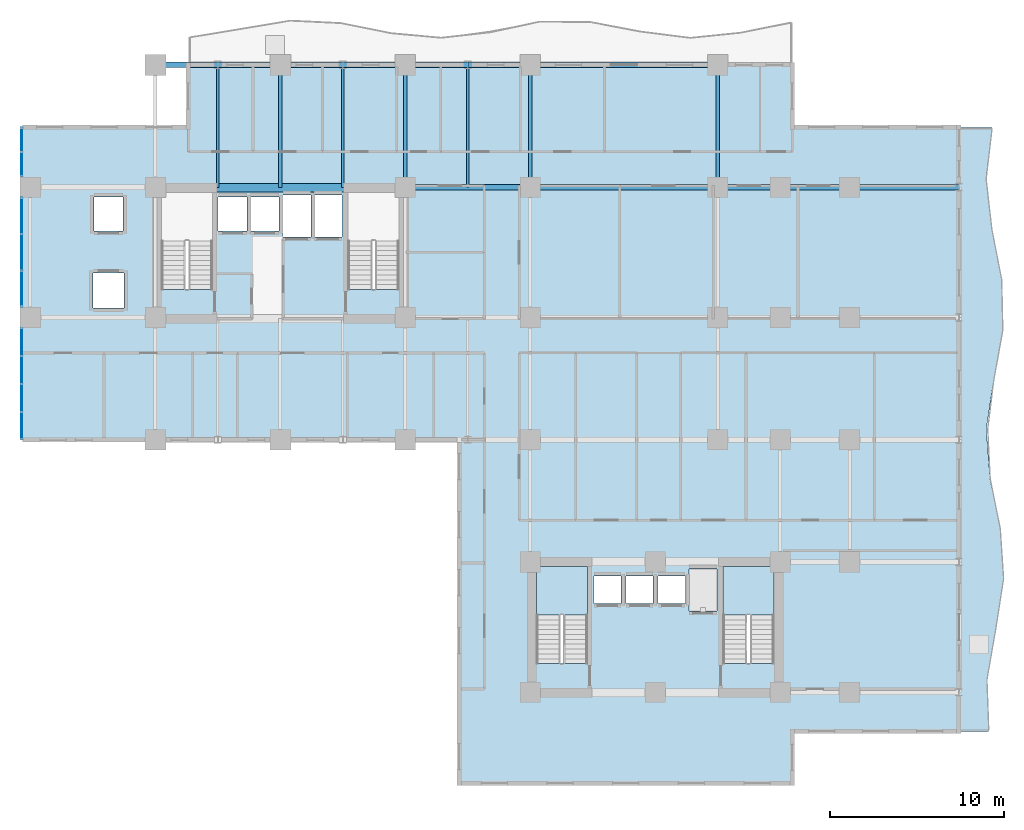
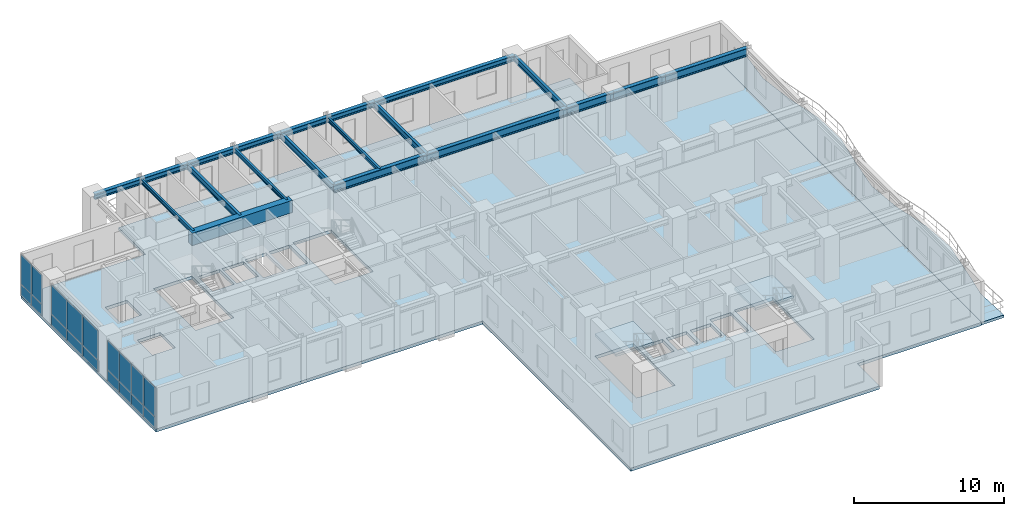
# One storey, part 7 of 18: 20 beams, 18 plates, 4 slabs, 5 elements without a shape of their own.
"""IFC4 building model written with IfcOpenShell, lengths in metres."""

from ifc_helpers import new_model, si_unit, direction, frame, origin, origin_2d, place, context, subcontext, project, spatial, polyline, rectangle, i_section, outline, extrude, source, transform, mapped, material, layer, layer_set, material_profile, profile_set, type_object, element, aggregate, save


model = new_model("IFC4")

# Units and contexts
model_context = context("Model", 3, precision=1e-05, world=origin(), true_north=direction((0.0, 1.0)))
body_context = subcontext(model_context, "Body", "Model", "MODEL_VIEW")
ifc_project = project(units=[si_unit("LENGTHUNIT", "METRE"), si_unit("AREAUNIT", "SQUARE_METRE"), si_unit("VOLUMEUNIT", "CUBIC_METRE"), si_unit("PLANEANGLEUNIT", "RADIAN"), si_unit("MASSUNIT", "GRAM", prefix="KILO")], contexts=[model_context])

# Site, building, storey
site_placement = place(None, origin())
site = spatial("IfcSite", under=ifc_project, at=site_placement, CompositionType="ELEMENT")
building_placement = place(site_placement, origin())
building = spatial("IfcBuilding", under=site, at=building_placement, Name="Kaliganga Portal Commons", CompositionType="ELEMENT")
storey_placement = place(building_placement, frame((0.0, 0.0, 123.0)))
storey = spatial("IfcBuildingStorey", under=building, at=storey_placement, Name="L31", CompositionType="ELEMENT", Elevation=123.0)

# Beams
ifc_material_1 = material(Name="Concrete C50/60", Category="concrete")
ifc_material_profile_1 = material_profile(ifc_material_1, rectangle(XDim=0.5, YDim=1.0, at=origin_2d()), Name="RC 500x1000")
ifc_profile_set_1 = profile_set([ifc_material_profile_1], Name="Concrete C50/60")
beam_type_1 = type_object("IfcBeamType", Name="BM-CPL-1000", PredefinedType="LINTEL", material=ifc_profile_set_1)
shared_shape_1 = source(origin(), body_context, "Body", "SweptSolid", [
    extrude(rectangle(XDim=0.5, YDim=1.0, at=origin_2d()), origin(), (0.0, 0.0, 1.0), 7.739990234375),
])
beam_1_placement = place(storey_placement, frame((17.72998046875, 36.125, 2.949951171875), z_axis=(1.0, 0.0, 0.0), x_axis=(0.0, 1.0, 0.0)))
element("IfcBeam", 1, at=beam_1_placement, inside=storey, type_object=beam_type_1, Name="BM CPL COREA L31 N", PredefinedType="LINTEL", context=body_context, shape_type="MappedRepresentation", body=[
    mapped(shared_shape_1, transform((0.0, 0.0, 0.0), x_axis=(1.0, 0.0, 0.0), y_axis=(0.0, 1.0, 0.0), z_axis=(0.0, 0.0, 1.0), scale=1.0)),
])
ifc_material_2 = material(Name="Structural steel S355J2", Category="steel")
ifc_material_profile_2 = material_profile(ifc_material_2, i_section(OverallWidth=0.300048828125, OverallDepth=0.64990234375, WebThickness=0.01611328125, FlangeThickness=0.031005859375, FilletRadius=0.027099609375, at=origin_2d()), Name="HE 650 B")
ifc_profile_set_2 = profile_set([ifc_material_profile_2], Name="Structural steel S355J2 wide-flange")
beam_type_2 = type_object("IfcBeamType", Name="BM-GIRD-650", PredefinedType="USERDEFINED", material=ifc_profile_set_2)
shared_shape_2 = source(origin(), body_context, "Body", "SweptSolid", [
    extrude(i_section(OverallWidth=0.300048828125, OverallDepth=0.64990234375, WebThickness=0.01611328125, FlangeThickness=0.031005859375, FilletRadius=0.027099609375, at=origin_2d()), origin(), (0.0, 0.0, 1.0), 3.599853515625),
])
beam_2_placement = place(storey_placement, frame((46.800048828125, 36.14990234375, 3.125), z_axis=(1.0, 0.0, 0.0), x_axis=(0.0, 1.0, 0.0)))
element("IfcBeam", 2, at=beam_2_placement, inside=storey, type_object=beam_type_2, Name="BM G L31 BKE362 1", ObjectType="GIRDER", PredefinedType="USERDEFINED", context=body_context, shape_type="MappedRepresentation", body=[
    mapped(shared_shape_2, transform((0.0, 0.0, 0.0), x_axis=(1.0, 0.0, 0.0), y_axis=(0.0, 1.0, 0.0), z_axis=(0.0, 0.0, 1.0), scale=1.0)),
])
shared_shape_3 = source(origin(), body_context, "Body", "SweptSolid", [
    extrude(i_section(OverallWidth=0.300048828125, OverallDepth=0.64990234375, WebThickness=0.01611328125, FlangeThickness=0.031005859375, FilletRadius=0.027099609375, at=origin_2d()), origin(), (0.0, 0.0, 1.0), 7.199951171875),
])
beam_3_placement = place(storey_placement, frame((28.800048828125, 36.14990234375, 3.125), z_axis=(1.0, 0.0, 0.0), x_axis=(0.0, 1.0, 0.0)))
element("IfcBeam", 3, at=beam_3_placement, inside=storey, type_object=beam_type_2, Name="BM G L31 WAE_N 1", ObjectType="GIRDER", PredefinedType="USERDEFINED", context=body_context, shape_type="MappedRepresentation", body=[
    mapped(shared_shape_3, transform((0.0, 0.0, 0.0), x_axis=(1.0, 0.0, 0.0), y_axis=(0.0, 1.0, 0.0), z_axis=(0.0, 0.0, 1.0), scale=1.0)),
])
shared_shape_4 = source(origin(), body_context, "Body", "SweptSolid", [
    extrude(i_section(OverallWidth=0.300048828125, OverallDepth=0.64990234375, WebThickness=0.01611328125, FlangeThickness=0.031005859375, FilletRadius=0.027099609375, at=origin_2d()), origin(), (0.0, 0.0, 1.0), 10.800048828125),
])
beam_4_placement = place(storey_placement, frame((36.0, 36.14990234375, 3.125), z_axis=(1.0, 0.0, 0.0), x_axis=(0.0, 1.0, 0.0)))
element("IfcBeam", 4, at=beam_4_placement, inside=storey, type_object=beam_type_2, Name="BM G L31 WAE_N 2", ObjectType="GIRDER", PredefinedType="USERDEFINED", context=body_context, shape_type="MappedRepresentation", body=[
    mapped(shared_shape_4, transform((0.0, 0.0, 0.0), x_axis=(1.0, 0.0, 0.0), y_axis=(0.0, 1.0, 0.0), z_axis=(0.0, 0.0, 1.0), scale=1.0)),
])
shared_shape_5 = source(origin(), body_context, "Body", "SweptSolid", [
    extrude(i_section(OverallWidth=0.300048828125, OverallDepth=0.64990234375, WebThickness=0.01611328125, FlangeThickness=0.031005859375, FilletRadius=0.027099609375, at=origin_2d()), origin(), (0.0, 0.0, 1.0), 4.0),
])
beam_5_placement = place(storey_placement, frame((50.39990234375, 36.14990234375, 3.125), z_axis=(1.0, 0.0, 0.0), x_axis=(0.0, 1.0, 0.0)))
element("IfcBeam", 5, at=beam_5_placement, inside=storey, type_object=beam_type_2, Name="BM G L31 BKE362 2", ObjectType="GIRDER", PredefinedType="USERDEFINED", context=body_context, shape_type="MappedRepresentation", body=[
    mapped(shared_shape_5, transform((0.0, 0.0, 0.0), x_axis=(1.0, 0.0, 0.0), y_axis=(0.0, 1.0, 0.0), z_axis=(0.0, 0.0, 1.0), scale=1.0)),
])
ifc_material_profile_3 = material_profile(ifc_material_2, i_section(OverallWidth=0.199951171875, OverallDepth=0.5, WebThickness=0.01025390625, FlangeThickness=0.01611328125, FilletRadius=0.02099609375, at=origin_2d()), Name="IPE 500")
ifc_profile_set_3 = profile_set([ifc_material_profile_3], Name="Structural steel S355J2 wide-flange")
beam_type_3 = type_object("IfcBeamType", Name="BM-FLR-500", PredefinedType="BEAM", material=ifc_profile_set_3)
shared_shape_6 = source(origin(), body_context, "Body", "SweptSolid", [
    extrude(i_section(OverallWidth=0.199951171875, OverallDepth=0.5, WebThickness=0.01025390625, FlangeThickness=0.01611328125, FilletRadius=0.02099609375, at=origin_2d()), origin(), (0.0, 0.0, 1.0), 7.050048828125),
])
for number, where, z_axis, x_axis, name in (
    (6, (28.800048828125, 36.14990234375, 3.199951171875), (0.0, 1.0, 0.0), (-1.0, 0.0, 0.0), "BM G L31 AN288"),
    (7, (36.0, 36.14990234375, 3.199951171875), (0.0, 1.0, 0.0), (-1.0, 0.0, 0.0), "BM G L31 AN360"),
    (8, (46.800048828125, 36.14990234375, 3.199951171875), (0.0, 1.0, 0.0), (-1.0, 0.0, 0.0), "BM G L31 AN468"),
):
    element("IfcBeam", number, at=place(storey_placement, frame(where, z_axis=z_axis, x_axis=x_axis)), inside=storey, type_object=beam_type_3, Name=name, PredefinedType="BEAM", context=body_context, shape_type="MappedRepresentation", body=[
        mapped(shared_shape_6, transform((0.0, 0.0, 0.0), x_axis=(1.0, 0.0, 0.0), y_axis=(0.0, 1.0, 0.0), z_axis=(0.0, 0.0, 1.0), scale=1.0)),
    ])
shared_shape_7 = source(origin(), body_context, "Body", "SweptSolid", [
    extrude(i_section(OverallWidth=0.199951171875, OverallDepth=0.5, WebThickness=0.01025390625, FlangeThickness=0.01611328125, FilletRadius=0.02099609375, at=origin_2d()), origin(), (0.0, 0.0, 1.0), 7.074951171875),
])
beam_6_placement = place(storey_placement, frame((21.60009765625, 36.125, 3.199951171875), z_axis=(0.0, 1.0, 0.0), x_axis=(-1.0, 0.0, 0.0)))
element("IfcBeam", 9, at=beam_6_placement, inside=storey, type_object=beam_type_3, Name="BM G L31 AN216", PredefinedType="BEAM", context=body_context, shape_type="MappedRepresentation", body=[
    mapped(shared_shape_7, transform((0.0, 0.0, 0.0), x_axis=(1.0, 0.0, 0.0), y_axis=(0.0, 1.0, 0.0), z_axis=(0.0, 0.0, 1.0), scale=1.0)),
])
shared_shape_8 = source(origin(), body_context, "Body", "SweptSolid", [
    extrude(i_section(OverallWidth=0.300048828125, OverallDepth=0.64990234375, WebThickness=0.01611328125, FlangeThickness=0.031005859375, FilletRadius=0.027099609375, at=origin_2d()), origin(), (0.0, 0.0, 1.0), 6.300048828125),
])
beam_7_placement = place(storey_placement, frame((54.39990234375, 36.14990234375, 3.125), z_axis=(1.0, 0.0, 0.0), x_axis=(0.0, 1.0, 0.0)))
element("IfcBeam", 10, at=beam_7_placement, inside=storey, type_object=beam_type_2, Name="BM G L31 BKE362 3", ObjectType="GIRDER", PredefinedType="USERDEFINED", context=body_context, shape_type="MappedRepresentation", body=[
    mapped(shared_shape_8, transform((0.0, 0.0, 0.0), x_axis=(1.0, 0.0, 0.0), y_axis=(0.0, 1.0, 0.0), z_axis=(0.0, 0.0, 1.0), scale=1.0)),
])
ifc_material_profile_4 = material_profile(ifc_material_2, i_section(OverallWidth=0.300048828125, OverallDepth=0.449951171875, WebThickness=0.013916015625, FlangeThickness=0.02587890625, FilletRadius=0.027099609375, at=origin_2d()), Name="HE 450 B")
ifc_profile_set_4 = profile_set([ifc_material_profile_4], Name="Structural steel S355J2 wide-flange")
beam_type_4 = type_object("IfcBeamType", Name="BM-SPAND-450", PredefinedType="SPANDREL", material=ifc_profile_set_4)
shared_shape_9 = source(origin(), body_context, "Body", "SweptSolid", [
    extrude(i_section(OverallWidth=0.300048828125, OverallDepth=0.449951171875, WebThickness=0.013916015625, FlangeThickness=0.02587890625, FilletRadius=0.027099609375, at=origin_2d()), origin(), (0.0, 0.0, 1.0), 3.60009765625),
])
for number, where, z_axis, x_axis, name in (
    (11, (14.39990234375, 43.199951171875, 3.22509765625), (1.0, 0.0, 0.0), (0.0, 1.0, 0.0), "BM SP L31 AN 1"),
    (12, (18.0, 43.199951171875, 3.22509765625), (1.0, 0.0, 0.0), (0.0, 1.0, 0.0), "BM SP L31 AN 2"),
    (13, (25.199951171875, 43.199951171875, 3.22509765625), (1.0, 0.0, 0.0), (0.0, 1.0, 0.0), "BM SP L31 AN 4"),
    (14, (32.39990234375, 43.199951171875, 3.22509765625), (1.0, 0.0, 0.0), (0.0, 1.0, 0.0), "BM SP L31 AN 6"),
):
    element("IfcBeam", number, at=place(storey_placement, frame(where, z_axis=z_axis, x_axis=x_axis)), inside=storey, type_object=beam_type_4, Name=name, PredefinedType="SPANDREL", context=body_context, shape_type="MappedRepresentation", body=[
        mapped(shared_shape_9, transform((0.0, 0.0, 0.0), x_axis=(1.0, 0.0, 0.0), y_axis=(0.0, 1.0, 0.0), z_axis=(0.0, 0.0, 1.0), scale=1.0)),
    ])
shared_shape_10 = source(origin(), body_context, "Body", "SweptSolid", [
    extrude(i_section(OverallWidth=0.300048828125, OverallDepth=0.449951171875, WebThickness=0.013916015625, FlangeThickness=0.02587890625, FilletRadius=0.027099609375, at=origin_2d()), origin(), (0.0, 0.0, 1.0), 3.599853515625),
])
for number, where, z_axis, x_axis, name in (
    (15, (21.60009765625, 43.199951171875, 3.22509765625), (1.0, 0.0, 0.0), (0.0, 1.0, 0.0), "BM SP L31 AN 3"),
    (16, (28.800048828125, 43.199951171875, 3.22509765625), (1.0, 0.0, 0.0), (0.0, 1.0, 0.0), "BM SP L31 AN 5"),
):
    element("IfcBeam", number, at=place(storey_placement, frame(where, z_axis=z_axis, x_axis=x_axis)), inside=storey, type_object=beam_type_4, Name=name, PredefinedType="SPANDREL", context=body_context, shape_type="MappedRepresentation", body=[
        mapped(shared_shape_10, transform((0.0, 0.0, 0.0), x_axis=(1.0, 0.0, 0.0), y_axis=(0.0, 1.0, 0.0), z_axis=(0.0, 0.0, 1.0), scale=1.0)),
    ])
shared_shape_11 = source(origin(), body_context, "Body", "SweptSolid", [
    extrude(i_section(OverallWidth=0.300048828125, OverallDepth=0.449951171875, WebThickness=0.013916015625, FlangeThickness=0.02587890625, FilletRadius=0.027099609375, at=origin_2d()), origin(), (0.0, 0.0, 1.0), 10.800048828125),
])
beam_8_placement = place(storey_placement, frame((36.0, 43.199951171875, 3.22509765625), z_axis=(1.0, 0.0, 0.0), x_axis=(0.0, 1.0, 0.0)))
element("IfcBeam", 17, at=beam_8_placement, inside=storey, type_object=beam_type_4, Name="BM SP L31 AN 7", PredefinedType="SPANDREL", context=body_context, shape_type="MappedRepresentation", body=[
    mapped(shared_shape_11, transform((0.0, 0.0, 0.0), x_axis=(1.0, 0.0, 0.0), y_axis=(0.0, 1.0, 0.0), z_axis=(0.0, 0.0, 1.0), scale=1.0)),
])
ifc_material_profile_5 = material_profile(ifc_material_2, i_section(OverallWidth=0.159912109375, OverallDepth=0.330078125, WebThickness=0.007568359375, FlangeThickness=0.011474609375, FilletRadius=0.01806640625, at=origin_2d()), Name="IPE 330")
ifc_profile_set_5 = profile_set([ifc_material_profile_5], Name="Structural steel S355J2 wide-flange")
beam_type_5 = type_object("IfcBeamType", Name="BM-JST-330", PredefinedType="JOIST", material=ifc_profile_set_5)
shared_shape_12 = source(origin(), body_context, "Body", "SweptSolid", [
    extrude(i_section(OverallWidth=0.159912109375, OverallDepth=0.330078125, WebThickness=0.007568359375, FlangeThickness=0.011474609375, FilletRadius=0.01806640625, at=origin_2d()), origin(), (0.0, 0.0, 1.0), 7.074951171875),
])
for number, where, z_axis, x_axis, name in (
    (18, (18.0, 36.125, 3.284912109375), (0.0, 1.0, 0.0), (-1.0, 0.0, 0.0), "BM G L31 AN180"),
    (19, (25.199951171875, 36.125, 3.284912109375), (0.0, 1.0, 0.0), (-1.0, 0.0, 0.0), "BM G L31 AN252"),
):
    element("IfcBeam", number, at=place(storey_placement, frame(where, z_axis=z_axis, x_axis=x_axis)), inside=storey, type_object=beam_type_5, Name=name, PredefinedType="JOIST", context=body_context, shape_type="MappedRepresentation", body=[
        mapped(shared_shape_12, transform((0.0, 0.0, 0.0), x_axis=(1.0, 0.0, 0.0), y_axis=(0.0, 1.0, 0.0), z_axis=(0.0, 0.0, 1.0), scale=1.0)),
    ])
shared_shape_13 = source(origin(), body_context, "Body", "SweptSolid", [
    extrude(i_section(OverallWidth=0.159912109375, OverallDepth=0.330078125, WebThickness=0.007568359375, FlangeThickness=0.011474609375, FilletRadius=0.01806640625, at=origin_2d()), origin(), (0.0, 0.0, 1.0), 7.050048828125),
])
beam_9_placement = place(storey_placement, frame((32.39990234375, 36.14990234375, 3.284912109375), z_axis=(0.0, 1.0, 0.0), x_axis=(-1.0, 0.0, 0.0)))
element("IfcBeam", 20, at=beam_9_placement, inside=storey, type_object=beam_type_5, Name="BM G L31 AN324", PredefinedType="JOIST", context=body_context, shape_type="MappedRepresentation", body=[
    mapped(shared_shape_13, transform((0.0, 0.0, 0.0), x_axis=(1.0, 0.0, 0.0), y_axis=(0.0, 1.0, 0.0), z_axis=(0.0, 0.0, 1.0), scale=1.0)),
])

# Slab
ifc_material_3 = material(Name="Concrete C40/50", Category="concrete")
ifc_layer_1 = layer(ifc_material_3, 0.2099609375)
ifc_layer_set_1 = layer_set([ifc_layer_1], Name="Concrete C40/50")
slab_type_1 = type_object("IfcSlabType", Name="SLB-BALC-210", PredefinedType="FLOOR", material=ifc_layer_set_1)
slab_1_placement = place(storey_placement, frame((0.0, 0.0, -0.2099609375)))
element("IfcSlab", 21, at=slab_1_placement, inside=storey, type_object=slab_type_1, Name="Scalloped Tree-Planter Balcony Slab L31 balc_east", PredefinedType="FLOOR", context=body_context, shape_type="SweptSolid", body=[
    extrude(outline(polyline([(60.699951171875, 4.800048828125), (62.416259765625, 4.800048828125), (62.311767578125, 7.699951171875), (62.8203125, 10.60009765625), (63.279296875, 13.5), (63.091064453125, 16.39990234375), (62.50048828125, 19.300048828125), (62.277099609375, 22.199951171875), (62.712158203125, 25.10009765625), (63.238525390625, 28.0), (63.170654296875, 30.89990234375), (62.5966796875, 33.800048828125), (62.2646484375, 36.699951171875), (62.60693359375, 39.60009765625), (60.699951171875, 39.60009765625), (60.699951171875, 4.800048828125)])), origin(), (0.0, 0.0, 1.0), 0.2099609375),
])

# Stair, slab
stair_type = type_object("IfcStairType", Name="ST-CORE-DOGLEG", PredefinedType="HALF_TURN_STAIR", material=ifc_material_3)
stair_1_placement = place(storey_placement, origin())
stair_1 = element("IfcStair", 22, at=stair_1_placement, inside=storey, type_object=stair_type, Name="L31 Protected Exit Stair ST-B1", PredefinedType="HALF_TURN_STAIR")
ifc_layer_2 = layer(ifc_material_3, 0.199951171875)
ifc_layer_set_2 = layer_set([ifc_layer_2], Name="Concrete C40/50")
slab_type_2 = type_object("IfcSlabType", Name="SLB-STAIR-LND", PredefinedType="LANDING", material=ifc_layer_set_2)
slab_2_placement = place(storey_placement, frame((0.0, 0.0, 1.64990234375)))
slab_2 = element("IfcSlab", 23, at=slab_2_placement, type_object=slab_type_2, Name="ST-B1 landing 1", PredefinedType="LANDING", context=body_context, shape_type="SweptSolid", body=[
    extrude(outline(polyline([(39.300048828125, 11.5), (39.300048828125, 14.300048828125), (36.35009765625, 14.300048828125), (36.35009765625, 11.5), (39.300048828125, 11.5)])), origin(), (0.0, 0.0, 1.0), 0.2001953125),
])
aggregate(stair_1, [slab_2])

stair_2_placement = place(storey_placement, origin())
stair_2 = element("IfcStair", 24, at=stair_2_placement, inside=storey, type_object=stair_type, Name="L31 Protected Exit Stair ST-B2", PredefinedType="HALF_TURN_STAIR")
slab_3_placement = place(storey_placement, frame((0.0, 0.0, 1.64990234375)))
slab_3 = element("IfcSlab", 25, at=slab_3_placement, type_object=slab_type_2, Name="ST-B2 landing 1", PredefinedType="LANDING", context=body_context, shape_type="SweptSolid", body=[
    extrude(outline(polyline([(50.050048828125, 11.5), (50.050048828125, 14.300048828125), (47.10009765625, 14.300048828125), (47.10009765625, 11.5), (50.050048828125, 11.5)])), origin(), (0.0, 0.0, 1.0), 0.2001953125),
])
aggregate(stair_2, [slab_3])

# Slab
ifc_layer_3 = layer(ifc_material_3, 0.25)
ifc_layer_set_3 = layer_set([ifc_layer_3], Name="Concrete C40/50")
slab_type_3 = type_object("IfcSlabType", Name="SLB-TWR-250", PredefinedType="FLOOR", material=ifc_layer_set_3)
slab_4_placement = place(storey_placement, frame((0.0, 0.0, -0.25)))
element("IfcSlab", 26, at=slab_4_placement, inside=storey, type_object=slab_type_3, Name="Structural Floor Slab L31", PredefinedType="FLOOR", context=body_context, shape_type="SweptSolid", body=[
    extrude(outline(polyline([(31.89990234375, 1.800048828125), (51.10009765625, 1.800048828125), (51.10009765625, 4.800048828125), (60.699951171875, 4.800048828125), (60.699951171875, 39.60009765625), (51.10009765625, 39.60009765625), (51.10009765625, 43.199951171875), (16.300048828125, 43.199951171875), (16.300048828125, 39.60009765625), (6.699951171875, 39.60009765625), (6.699951171875, 21.60009765625), (31.89990234375, 21.60009765625), (31.89990234375, 1.800048828125)]), holes=[polyline([(14.75, 30.25390625), (14.75, 35.85009765625), (17.699951171875, 35.85009765625), (17.699951171875, 30.25390625), (14.75, 30.25390625)]), polyline([(25.5, 30.25390625), (25.5, 35.85009765625), (28.449951171875, 35.85009765625), (28.449951171875, 30.25390625), (25.5, 30.25390625)]), polyline([(36.35009765625, 8.7041015625), (36.35009765625, 14.300048828125), (39.300048828125, 14.300048828125), (39.300048828125, 8.7041015625), (36.35009765625, 8.7041015625)]), polyline([(47.10009765625, 8.7041015625), (47.10009765625, 14.300048828125), (50.050048828125, 14.300048828125), (50.050048828125, 8.7041015625), (47.10009765625, 8.7041015625)]), polyline([(18.014892578125, 33.614990234375), (18.014892578125, 35.5849609375), (19.68505859375, 35.5849609375), (19.68505859375, 33.614990234375), (18.014892578125, 33.614990234375)]), polyline([(19.864990234375, 33.614990234375), (19.864990234375, 35.5849609375), (21.534912109375, 35.5849609375), (21.534912109375, 33.614990234375), (19.864990234375, 33.614990234375)]), polyline([(10.81494140625, 29.18994140625), (10.81494140625, 31.2099609375), (12.5849609375, 31.2099609375), (12.5849609375, 29.18994140625), (10.81494140625, 29.18994140625)]), polyline([(10.864990234375, 33.614990234375), (10.864990234375, 35.5849609375), (12.534912109375, 35.5849609375), (12.534912109375, 33.614990234375), (10.864990234375, 33.614990234375)]), polyline([(21.739990234375, 33.2900390625), (21.739990234375, 35.7099609375), (23.360107421875, 35.7099609375), (23.360107421875, 33.2900390625), (21.739990234375, 33.2900390625)]), polyline([(23.5400390625, 33.2900390625), (23.5400390625, 35.7099609375), (25.159912109375, 35.7099609375), (25.159912109375, 33.2900390625), (23.5400390625, 33.2900390625)]), polyline([(39.6650390625, 12.1650390625), (39.6650390625, 13.735107421875), (41.235107421875, 13.735107421875), (41.235107421875, 12.1650390625), (39.6650390625, 12.1650390625)]), polyline([(41.514892578125, 12.1650390625), (41.514892578125, 13.735107421875), (43.0849609375, 13.735107421875), (43.0849609375, 12.1650390625), (41.514892578125, 12.1650390625)]), polyline([(43.364990234375, 12.1650390625), (43.364990234375, 13.735107421875), (44.93505859375, 13.735107421875), (44.93505859375, 12.1650390625), (43.364990234375, 12.1650390625)]), polyline([(45.139892578125, 11.739990234375), (45.139892578125, 14.159912109375), (46.760009765625, 14.159912109375), (46.760009765625, 11.739990234375), (45.139892578125, 11.739990234375)])]), origin(), (0.0, 0.0, 1.0), 0.25),
])

# Curtain wall, plates
ifc_material_4 = material(Name="Anodized Aluminium and Laminated Low-E Glass", Category="aluminium")
ifc_layer_4 = layer(ifc_material_4, 0.199951171875)
ifc_layer_set_4 = layer_set([ifc_layer_4], Name="Anodized Aluminium and Laminated Low-E Glass")
curtain_wall_type = type_object("IfcCurtainWallType", Name="CW-SYS-02", PredefinedType="NOTDEFINED", material=ifc_layer_set_4)
curtain_wall_1_placement = place(storey_placement, origin())
curtain_wall_1 = element("IfcCurtainWall", 27, at=curtain_wall_1_placement, inside=storey, type_object=curtain_wall_type, Name="CW 02 L31 P1E09S3", PredefinedType="NOTDEFINED")
ifc_material_5 = material(Name="Insulated Dark Spandrel Panel", Category="metal")
ifc_layer_5 = layer(ifc_material_5, 0.044921875)
ifc_layer_set_5 = layer_set([ifc_layer_5], Name="Insulated Dark Spandrel Panel")
plate_type_1 = type_object("IfcPlateType", Name="PLT-SPN-45", PredefinedType="SHEET", material=ifc_layer_set_5)
shared_shape_14 = source(origin(), body_context, "Body", "SweptSolid", [
    extrude(rectangle(XDim=1.572265625, YDim=0.044921875, at=origin_2d()), origin(), (0.0, 0.0, 1.0), 0.929931640625),
])
plate_1_placement = place(storey_placement, frame((6.699951171875, 27.242919921875, 0.01025390625), z_axis=(0.0, 0.0, 1.0), x_axis=(0.0, -1.0, 0.0)))
plate_1 = element("IfcPlate", 28, at=plate_1_placement, type_object=plate_type_1, Name="CW:02:L31:P1E09S3 Spandrel 00", PredefinedType="SHEET", context=body_context, shape_type="MappedRepresentation", body=[
    mapped(shared_shape_14, transform((0.0, 0.0, 0.0), x_axis=(1.0, 0.0, 0.0), y_axis=(0.0, 1.0, 0.0), z_axis=(0.0, 0.0, 1.0), scale=1.0)),
])
plate_2_placement = place(storey_placement, frame((6.699951171875, 25.630615234375, 0.01025390625), z_axis=(0.0, 0.0, 1.0), x_axis=(0.0, -1.0, 0.0)))
plate_2 = element("IfcPlate", 29, at=plate_2_placement, type_object=plate_type_1, Name="CW:02:L31:P1E09S3 Spandrel 01", PredefinedType="SHEET", context=body_context, shape_type="MappedRepresentation", body=[
    mapped(shared_shape_14, transform((0.0, 0.0, 0.0), x_axis=(1.0, 0.0, 0.0), y_axis=(0.0, 1.0, 0.0), z_axis=(0.0, 0.0, 1.0), scale=1.0)),
])
plate_3_placement = place(storey_placement, frame((6.699951171875, 24.018310546875, 0.01025390625), z_axis=(0.0, 0.0, 1.0), x_axis=(0.0, -1.0, 0.0)))
plate_3 = element("IfcPlate", 30, at=plate_3_placement, type_object=plate_type_1, Name="CW:02:L31:P1E09S3 Spandrel 02", PredefinedType="SHEET", context=body_context, shape_type="MappedRepresentation", body=[
    mapped(shared_shape_14, transform((0.0, 0.0, 0.0), x_axis=(1.0, 0.0, 0.0), y_axis=(0.0, 1.0, 0.0), z_axis=(0.0, 0.0, 1.0), scale=1.0)),
])
plate_4_placement = place(storey_placement, frame((6.699951171875, 22.406005859375, 0.01025390625), z_axis=(0.0, 0.0, 1.0), x_axis=(0.0, -1.0, 0.0)))
plate_4 = element("IfcPlate", 31, at=plate_4_placement, type_object=plate_type_1, Name="CW:02:L31:P1E09S3 Spandrel 03", PredefinedType="SHEET", context=body_context, shape_type="MappedRepresentation", body=[
    mapped(shared_shape_14, transform((0.0, 0.0, 0.0), x_axis=(1.0, 0.0, 0.0), y_axis=(0.0, 1.0, 0.0), z_axis=(0.0, 0.0, 1.0), scale=1.0)),
])
ifc_material_6 = material(Name="Dark Solar-Control Laminated Low-E IGU", Category="glass")
ifc_layer_6 = layer(ifc_material_6, 0.028076171875)
ifc_layer_set_6 = layer_set([ifc_layer_6], Name="Dark Solar-Control Laminated Low-E IGU")
plate_type_2 = type_object("IfcPlateType", Name="PLT-GLZ-28", PredefinedType="CURTAIN_PANEL", material=ifc_layer_set_6)
shared_shape_15 = source(origin(), body_context, "Body", "SweptSolid", [
    extrude(rectangle(XDim=1.572265625, YDim=0.028076171875, at=origin_2d()), origin(), (0.0, 0.0, 1.0), 2.39990234375),
])
plate_5_placement = place(storey_placement, frame((6.699951171875, 27.242919921875, 0.9599609375), z_axis=(0.0, 0.0, 1.0), x_axis=(0.0, -1.0, 0.0)))
plate_5 = element("IfcPlate", 32, at=plate_5_placement, type_object=plate_type_2, Name="CW:02:L31:P1E09S3 Vision IGU 00", PredefinedType="CURTAIN_PANEL", context=body_context, shape_type="MappedRepresentation", body=[
    mapped(shared_shape_15, transform((0.0, 0.0, 0.0), x_axis=(1.0, 0.0, 0.0), y_axis=(0.0, 1.0, 0.0), z_axis=(0.0, 0.0, 1.0), scale=1.0)),
])
plate_6_placement = place(storey_placement, frame((6.699951171875, 25.630615234375, 0.9599609375), z_axis=(0.0, 0.0, 1.0), x_axis=(0.0, -1.0, 0.0)))
plate_6 = element("IfcPlate", 33, at=plate_6_placement, type_object=plate_type_2, Name="CW:02:L31:P1E09S3 Vision IGU 01", PredefinedType="CURTAIN_PANEL", context=body_context, shape_type="MappedRepresentation", body=[
    mapped(shared_shape_15, transform((0.0, 0.0, 0.0), x_axis=(1.0, 0.0, 0.0), y_axis=(0.0, 1.0, 0.0), z_axis=(0.0, 0.0, 1.0), scale=1.0)),
])
plate_7_placement = place(storey_placement, frame((6.699951171875, 24.018310546875, 0.9599609375), z_axis=(0.0, 0.0, 1.0), x_axis=(0.0, -1.0, 0.0)))
plate_7 = element("IfcPlate", 34, at=plate_7_placement, type_object=plate_type_2, Name="CW:02:L31:P1E09S3 Vision IGU 02", PredefinedType="CURTAIN_PANEL", context=body_context, shape_type="MappedRepresentation", body=[
    mapped(shared_shape_15, transform((0.0, 0.0, 0.0), x_axis=(1.0, 0.0, 0.0), y_axis=(0.0, 1.0, 0.0), z_axis=(0.0, 0.0, 1.0), scale=1.0)),
])
plate_8_placement = place(storey_placement, frame((6.699951171875, 22.406005859375, 0.9599609375), z_axis=(0.0, 0.0, 1.0), x_axis=(0.0, -1.0, 0.0)))
plate_8 = element("IfcPlate", 35, at=plate_8_placement, type_object=plate_type_2, Name="CW:02:L31:P1E09S3 Vision IGU 03", PredefinedType="CURTAIN_PANEL", context=body_context, shape_type="MappedRepresentation", body=[
    mapped(shared_shape_15, transform((0.0, 0.0, 0.0), x_axis=(1.0, 0.0, 0.0), y_axis=(0.0, 1.0, 0.0), z_axis=(0.0, 0.0, 1.0), scale=1.0)),
])
aggregate(curtain_wall_1, [plate_1, plate_5, plate_2, plate_6, plate_3, plate_7, plate_4, plate_8])

curtain_wall_2_placement = place(storey_placement, origin())
curtain_wall_2 = element("IfcCurtainWall", 36, at=curtain_wall_2_placement, inside=storey, type_object=curtain_wall_type, Name="CW 02 L31 P1E09S2", PredefinedType="NOTDEFINED")
shared_shape_16 = source(origin(), body_context, "Body", "SweptSolid", [
    extrude(rectangle(XDim=2.059326171875, YDim=0.044921875, at=origin_2d()), origin(), (0.0, 0.0, 1.0), 0.929931640625),
])
plate_9_placement = place(storey_placement, frame((6.699951171875, 34.499267578125, 0.01025390625), z_axis=(0.0, 0.0, 1.0), x_axis=(0.0, -1.0, 0.0)))
plate_9 = element("IfcPlate", 37, at=plate_9_placement, type_object=plate_type_1, Name="CW:02:L31:P1E09S2 Spandrel 00", PredefinedType="SHEET", context=body_context, shape_type="MappedRepresentation", body=[
    mapped(shared_shape_16, transform((0.0, 0.0, 0.0), x_axis=(1.0, 0.0, 0.0), y_axis=(0.0, 1.0, 0.0), z_axis=(0.0, 0.0, 1.0), scale=1.0)),
])
plate_10_placement = place(storey_placement, frame((6.699951171875, 32.39990234375, 0.01025390625), z_axis=(0.0, 0.0, 1.0), x_axis=(0.0, -1.0, 0.0)))
plate_10 = element("IfcPlate", 38, at=plate_10_placement, type_object=plate_type_1, Name="CW:02:L31:P1E09S2 Spandrel 01", PredefinedType="SHEET", context=body_context, shape_type="MappedRepresentation", body=[
    mapped(shared_shape_16, transform((0.0, 0.0, 0.0), x_axis=(1.0, 0.0, 0.0), y_axis=(0.0, 1.0, 0.0), z_axis=(0.0, 0.0, 1.0), scale=1.0)),
])
plate_11_placement = place(storey_placement, frame((6.699951171875, 30.30078125, 0.01025390625), z_axis=(0.0, 0.0, 1.0), x_axis=(0.0, -1.0, 0.0)))
plate_11 = element("IfcPlate", 39, at=plate_11_placement, type_object=plate_type_1, Name="CW:02:L31:P1E09S2 Spandrel 02", PredefinedType="SHEET", context=body_context, shape_type="MappedRepresentation", body=[
    mapped(shared_shape_16, transform((0.0, 0.0, 0.0), x_axis=(1.0, 0.0, 0.0), y_axis=(0.0, 1.0, 0.0), z_axis=(0.0, 0.0, 1.0), scale=1.0)),
])
shared_shape_17 = source(origin(), body_context, "Body", "SweptSolid", [
    extrude(rectangle(XDim=2.059326171875, YDim=0.028076171875, at=origin_2d()), origin(), (0.0, 0.0, 1.0), 2.39990234375),
])
plate_12_placement = place(storey_placement, frame((6.699951171875, 34.499267578125, 0.9599609375), z_axis=(0.0, 0.0, 1.0), x_axis=(0.0, -1.0, 0.0)))
plate_12 = element("IfcPlate", 40, at=plate_12_placement, type_object=plate_type_2, Name="CW:02:L31:P1E09S2 Vision IGU 00", PredefinedType="CURTAIN_PANEL", context=body_context, shape_type="MappedRepresentation", body=[
    mapped(shared_shape_17, transform((0.0, 0.0, 0.0), x_axis=(1.0, 0.0, 0.0), y_axis=(0.0, 1.0, 0.0), z_axis=(0.0, 0.0, 1.0), scale=1.0)),
])
plate_13_placement = place(storey_placement, frame((6.699951171875, 32.39990234375, 0.9599609375), z_axis=(0.0, 0.0, 1.0), x_axis=(0.0, -1.0, 0.0)))
plate_13 = element("IfcPlate", 41, at=plate_13_placement, type_object=plate_type_2, Name="CW:02:L31:P1E09S2 Vision IGU 01", PredefinedType="CURTAIN_PANEL", context=body_context, shape_type="MappedRepresentation", body=[
    mapped(shared_shape_17, transform((0.0, 0.0, 0.0), x_axis=(1.0, 0.0, 0.0), y_axis=(0.0, 1.0, 0.0), z_axis=(0.0, 0.0, 1.0), scale=1.0)),
])
plate_14_placement = place(storey_placement, frame((6.699951171875, 30.30078125, 0.9599609375), z_axis=(0.0, 0.0, 1.0), x_axis=(0.0, -1.0, 0.0)))
plate_14 = element("IfcPlate", 42, at=plate_14_placement, type_object=plate_type_2, Name="CW:02:L31:P1E09S2 Vision IGU 02", PredefinedType="CURTAIN_PANEL", context=body_context, shape_type="MappedRepresentation", body=[
    mapped(shared_shape_17, transform((0.0, 0.0, 0.0), x_axis=(1.0, 0.0, 0.0), y_axis=(0.0, 1.0, 0.0), z_axis=(0.0, 0.0, 1.0), scale=1.0)),
])
aggregate(curtain_wall_2, [plate_9, plate_12, plate_10, plate_13, plate_11, plate_14])

curtain_wall_3_placement = place(storey_placement, origin())
curtain_wall_3 = element("IfcCurtainWall", 43, at=curtain_wall_3_placement, inside=storey, type_object=curtain_wall_type, Name="CW 02 L31 P1E09S1", PredefinedType="NOTDEFINED")
shared_shape_18 = source(origin(), body_context, "Body", "SweptSolid", [
    extrude(rectangle(XDim=1.384521484375, YDim=0.044921875, at=origin_2d()), origin(), (0.0, 0.0, 1.0), 0.929931640625),
])
plate_15_placement = place(storey_placement, frame((6.699951171875, 38.8876953125, 0.01025390625), z_axis=(0.0, 0.0, 1.0), x_axis=(0.0, -1.0, 0.0)))
plate_15 = element("IfcPlate", 44, at=plate_15_placement, type_object=plate_type_1, Name="CW:02:L31:P1E09S1 Spandrel 00", PredefinedType="SHEET", context=body_context, shape_type="MappedRepresentation", body=[
    mapped(shared_shape_18, transform((0.0, 0.0, 0.0), x_axis=(1.0, 0.0, 0.0), y_axis=(0.0, 1.0, 0.0), z_axis=(0.0, 0.0, 1.0), scale=1.0)),
])
plate_16_placement = place(storey_placement, frame((6.699951171875, 37.46337890625, 0.01025390625), z_axis=(0.0, 0.0, 1.0), x_axis=(0.0, -1.0, 0.0)))
plate_16 = element("IfcPlate", 45, at=plate_16_placement, type_object=plate_type_1, Name="CW:02:L31:P1E09S1 Spandrel 01", PredefinedType="SHEET", context=body_context, shape_type="MappedRepresentation", body=[
    mapped(shared_shape_18, transform((0.0, 0.0, 0.0), x_axis=(1.0, 0.0, 0.0), y_axis=(0.0, 1.0, 0.0), z_axis=(0.0, 0.0, 1.0), scale=1.0)),
])
shared_shape_19 = source(origin(), body_context, "Body", "SweptSolid", [
    extrude(rectangle(XDim=1.384521484375, YDim=0.028076171875, at=origin_2d()), origin(), (0.0, 0.0, 1.0), 2.39990234375),
])
plate_17_placement = place(storey_placement, frame((6.699951171875, 38.8876953125, 0.9599609375), z_axis=(0.0, 0.0, 1.0), x_axis=(0.0, -1.0, 0.0)))
plate_17 = element("IfcPlate", 46, at=plate_17_placement, type_object=plate_type_2, Name="CW:02:L31:P1E09S1 Vision IGU 00", PredefinedType="CURTAIN_PANEL", context=body_context, shape_type="MappedRepresentation", body=[
    mapped(shared_shape_19, transform((0.0, 0.0, 0.0), x_axis=(1.0, 0.0, 0.0), y_axis=(0.0, 1.0, 0.0), z_axis=(0.0, 0.0, 1.0), scale=1.0)),
])
plate_18_placement = place(storey_placement, frame((6.699951171875, 37.46337890625, 0.9599609375), z_axis=(0.0, 0.0, 1.0), x_axis=(0.0, -1.0, 0.0)))
plate_18 = element("IfcPlate", 47, at=plate_18_placement, type_object=plate_type_2, Name="CW:02:L31:P1E09S1 Vision IGU 01", PredefinedType="CURTAIN_PANEL", context=body_context, shape_type="MappedRepresentation", body=[
    mapped(shared_shape_19, transform((0.0, 0.0, 0.0), x_axis=(1.0, 0.0, 0.0), y_axis=(0.0, 1.0, 0.0), z_axis=(0.0, 0.0, 1.0), scale=1.0)),
])
aggregate(curtain_wall_3, [plate_15, plate_17, plate_16, plate_18])

save(model, "model.ifc")
